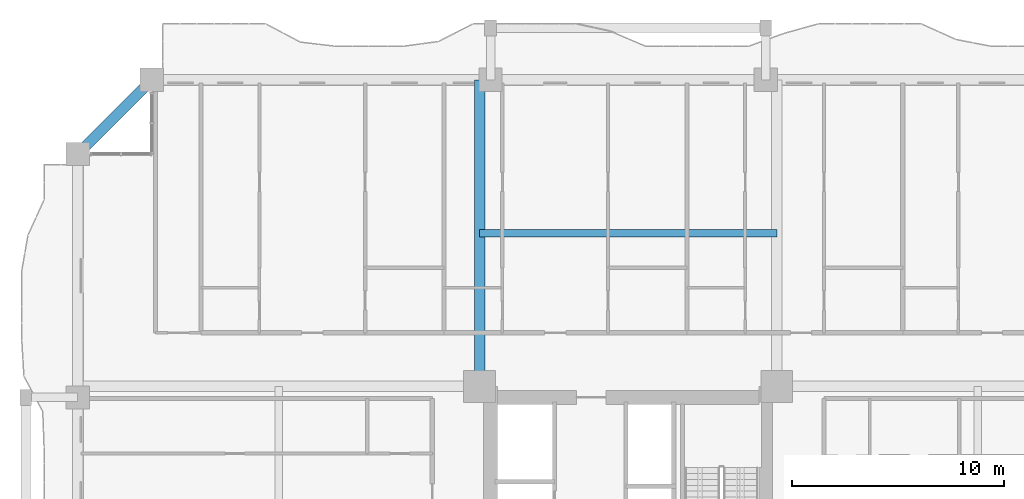
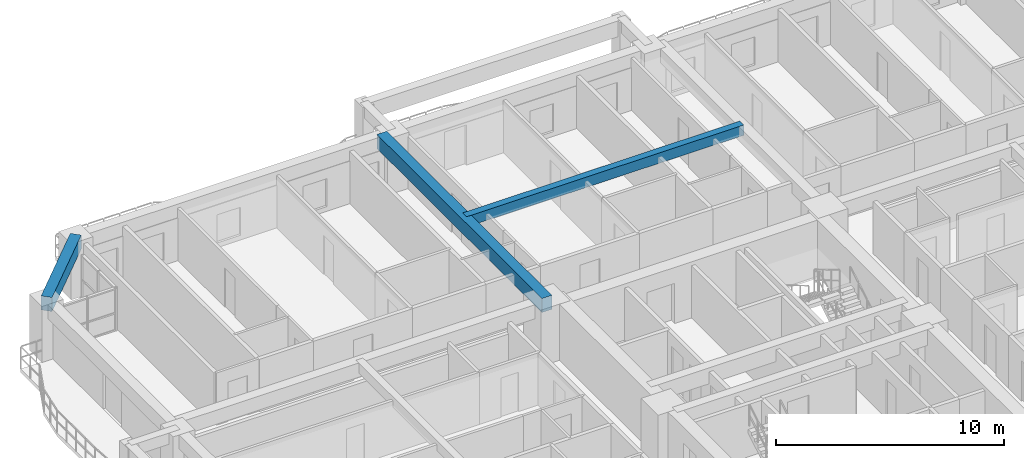
# One storey, part 7 of 27: 3 beams.
"""IFC4 building model written with IfcOpenShell, lengths in metres."""

from ifc_helpers import new_model, si_unit, direction, frame, origin, origin_2d, place, context, subcontext, project, spatial, rectangle, extrude, source, transform, mapped, material, material_profile, profile_set, type_object, element, save


model = new_model("IFC4")

# Units and contexts
model_context = context("Model", 3, precision=1e-05, world=origin(), true_north=direction((0.0, 1.0)))
body_context = subcontext(model_context, "Body", "Model", "MODEL_VIEW")
ifc_project = project(units=[si_unit("LENGTHUNIT", "METRE"), si_unit("AREAUNIT", "SQUARE_METRE"), si_unit("VOLUMEUNIT", "CUBIC_METRE"), si_unit("PLANEANGLEUNIT", "RADIAN"), si_unit("MASSUNIT", "GRAM", prefix="KILO")], contexts=[model_context])

# Site, building, storey
site_placement = place(None, origin())
site = spatial("IfcSite", under=ifc_project, at=site_placement, CompositionType="ELEMENT")
building_placement = place(site_placement, origin())
building = spatial("IfcBuilding", under=site, at=building_placement, Name="Saelheon Loggia Tower", CompositionType="ELEMENT")
storey_placement = place(building_placement, frame((0.0, 0.0, 43.39990234375)))
storey = spatial("IfcBuildingStorey", under=building, at=storey_placement, Name="L13", CompositionType="ELEMENT", Elevation=43.39990234375)

# Beams
ifc_material_1 = material(Name="Concrete C45/55", Category="concrete")
ifc_material_profile_1 = material_profile(ifc_material_1, rectangle(XDim=0.5, YDim=0.75, at=origin_2d()), Name="RC-500x750")
ifc_profile_set_1 = profile_set([ifc_material_profile_1], Name="Concrete C45/55")
beam_type_1 = type_object("IfcBeamType", Name="Beam_FloorGirder_RC500x750", PredefinedType="BEAM", material=ifc_profile_set_1)
shared_shape_1 = source(origin(), body_context, "Body", "SweptSolid", [
    extrude(rectangle(XDim=0.5, YDim=0.75, at=origin_2d()), origin(), (0.0, 0.0, 1.0), 14.47998046875),
])
beam_1_placement = place(storey_placement, frame((30.97998046875, 36.52001953125, 2.625), z_axis=(0.0, 1.0, 0.0), x_axis=(-1.0, 0.0, 0.0)))
element("IfcBeam", 1, at=beam_1_placement, inside=storey, type_object=beam_type_1, Name="L13 Radial Floor Girder RAD-NW-N", PredefinedType="BEAM", context=body_context, shape_type="MappedRepresentation", body=[
    mapped(shared_shape_1, transform((0.0, 0.0, 0.0), scale=1.0)),
])
ifc_material_profile_2 = material_profile(ifc_material_1, rectangle(XDim=0.5, YDim=0.75, at=origin_2d()), Name="RC-500x750")
ifc_profile_set_2 = profile_set([ifc_material_profile_2], Name="Concrete C45/55")
beam_type_2 = type_object("IfcBeamType", Name="Beam_PerimGirder_RC500x750", PredefinedType="BEAM", material=ifc_profile_set_2)
shared_shape_2 = source(origin(), body_context, "Body", "SweptSolid", [
    extrude(rectangle(XDim=0.5, YDim=0.75, at=origin_2d()), origin(), (0.0, 0.0, 1.0), 4.94970703125),
])
beam_2_placement = place(storey_placement, frame((15.5, 51.0, 2.625), z_axis=(-0.707106781187, -0.707106781187, 0.0), x_axis=(0.707106781187, -0.707106781187, 0.0)))
element("IfcBeam", 2, at=beam_2_placement, inside=storey, type_object=beam_type_2, Name="L13 Perimeter Frame Girder 12", PredefinedType="BEAM", context=body_context, shape_type="MappedRepresentation", body=[
    mapped(shared_shape_2, transform((0.0, 0.0, 0.0), scale=1.0)),
])
ifc_material_2 = material(Name="Concrete C40/50", Category="concrete")
ifc_material_profile_3 = material_profile(ifc_material_2, rectangle(XDim=0.35009765625, YDim=0.550048828125, at=origin_2d()), Name="RC-350x550")
ifc_profile_set_3 = profile_set([ifc_material_profile_3], Name="Concrete C40/50")
beam_type_3 = type_object("IfcBeamType", Name="Beam_Joist_RC350x550", PredefinedType="JOIST", material=ifc_profile_set_3)
shared_shape_3 = source(origin(), body_context, "Body", "SweptSolid", [
    extrude(rectangle(XDim=0.35009765625, YDim=0.550048828125, at=origin_2d()), origin(), (0.0, 0.0, 1.0), 14.0400390625),
])
beam_3_placement = place(storey_placement, frame((30.97998046875, 43.760009765625, 2.72509765625), z_axis=(1.0, 0.0, 0.0), x_axis=(0.0, 1.0, 0.0)))
element("IfcBeam", 3, at=beam_3_placement, inside=storey, type_object=beam_type_3, Name="L13 North Floor Joist", PredefinedType="JOIST", context=body_context, shape_type="MappedRepresentation", body=[
    mapped(shared_shape_3, transform((0.0, 0.0, 0.0), scale=1.0)),
])

save(model, "model.ifc")
